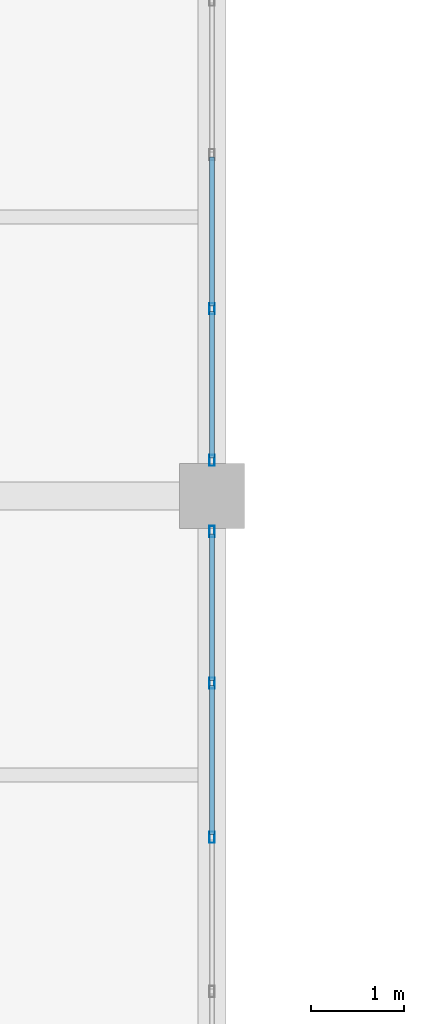
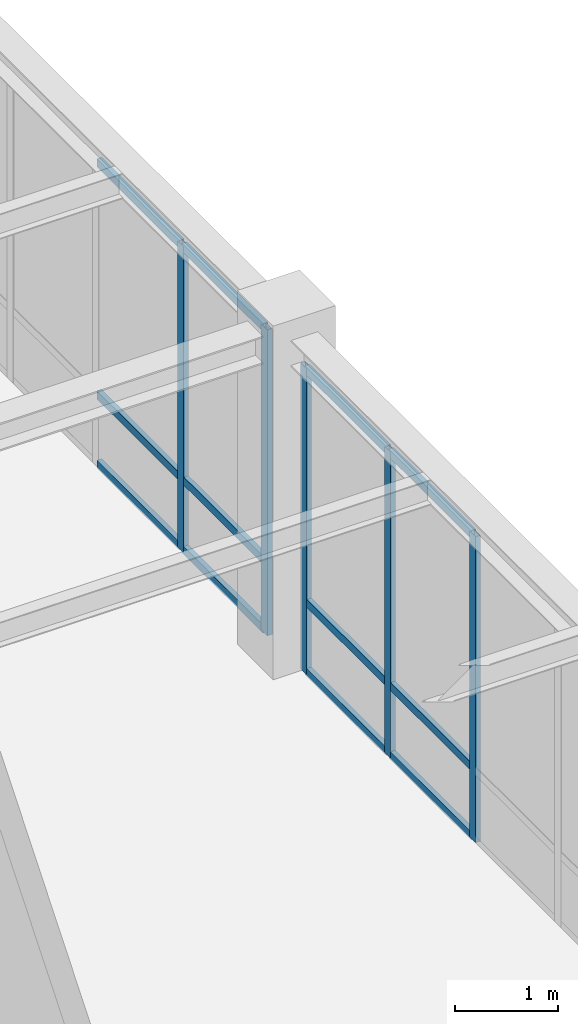
# One storey, part 58 of 108: 17 members, 2 elements without a shape of their own.
"""IFC4 building model written with IfcOpenShell, lengths in metres."""

from ifc_helpers import new_model, si_unit, direction, frame, origin, origin_2d, place, context, subcontext, project, spatial, hollow_rectangle, extrude, material, material_profile, profile_set, type_object, element, aggregate, save


model = new_model("IFC4")

# Units and contexts
model_context = context("Model", 3, precision=1e-05, world=origin(), true_north=direction((0.0, 1.0)))
body_context = subcontext(model_context, "Body", "Model", "MODEL_VIEW")
ifc_project = project(units=[si_unit("LENGTHUNIT", "METRE"), si_unit("AREAUNIT", "SQUARE_METRE"), si_unit("VOLUMEUNIT", "CUBIC_METRE"), si_unit("PLANEANGLEUNIT", "RADIAN"), si_unit("MASSUNIT", "GRAM", prefix="KILO")], contexts=[model_context])

# Site, building, storey
site_placement = place(None, origin())
site = spatial("IfcSite", under=ifc_project, at=site_placement, CompositionType="ELEMENT")
building_placement = place(site_placement, origin())
building = spatial("IfcBuilding", under=site, at=building_placement, Name="Lykobir Media Centre", CompositionType="ELEMENT")
storey_placement = place(building_placement, frame((0.0, 0.0, 15.0)))
storey = spatial("IfcBuildingStorey", under=building, at=storey_placement, Name="L03", CompositionType="ELEMENT", Elevation=15.0)

# Curtain wall, members
ifc_material = material(Name="Anodized Aluminium AW-6060", Category="aluminium")
curtain_wall_type = type_object("IfcCurtainWallType", Name="CW-COURT-B", PredefinedType="NOTDEFINED", material=ifc_material)
curtain_wall_1_placement = place(storey_placement, origin())
curtain_wall_1 = element("IfcCurtainWall", 1, at=curtain_wall_1_placement, inside=storey, type_object=curtain_wall_type, Name="Curtain wall CW2-L03-0141", PredefinedType="NOTDEFINED")
ifc_material_profile_1 = material_profile(ifc_material, hollow_rectangle(XDim=0.054931640625, YDim=0.1201171875, WallThickness=0.003173828125, at=origin_2d()), Name="ALU MULLION 55x120")
ifc_profile_set_1 = profile_set([ifc_material_profile_1], Name="Anodized Aluminium AW-6060")
member_type_1 = type_object("IfcMemberType", Name="CWM-120", PredefinedType="MULLION", material=ifc_profile_set_1)
member_1_placement = place(storey_placement, frame((99.0, 35.617431640625, 0.0), z_axis=(0.0, 0.0, 1.0), x_axis=(1.0, 0.0, 0.0)))
member_1 = element("IfcMember", 2, at=member_1_placement, type_object=member_type_1, Name="CW2-L03-0141 mullion 1", PredefinedType="MULLION", context=body_context, shape_type="SweptSolid", body=[
    extrude(hollow_rectangle(XDim=0.054931640625, YDim=0.1201171875, WallThickness=0.003173828125, at=origin_2d()), origin(), (0.0, 0.0, 1.0), 3.635009765625),
])
member_2_placement = place(storey_placement, frame((99.0, 33.987060546875, 0.0), z_axis=(0.0, 0.0, 1.0), x_axis=(1.0, 0.0, 0.0)))
member_2 = element("IfcMember", 3, at=member_2_placement, type_object=member_type_1, Name="CW2-L03-0141 mullion 2", PredefinedType="MULLION", context=body_context, shape_type="SweptSolid", body=[
    extrude(hollow_rectangle(XDim=0.054931640625, YDim=0.1201171875, WallThickness=0.003173828125, at=origin_2d()), origin(), (0.0, 0.0, 1.0), 3.635009765625),
])
member_3_placement = place(storey_placement, frame((99.0, 32.3291015625, 0.0), z_axis=(0.0, 0.0, 1.0), x_axis=(1.0, 0.0, 0.0)))
member_3 = element("IfcMember", 4, at=member_3_placement, type_object=member_type_1, Name="CW2-L03-0141 mullion 3", PredefinedType="MULLION", context=body_context, shape_type="SweptSolid", body=[
    extrude(hollow_rectangle(XDim=0.054931640625, YDim=0.1201171875, WallThickness=0.003173828125, at=origin_2d()), origin(), (0.0, 0.0, 1.0), 3.635009765625),
])

curtain_wall_2_placement = place(storey_placement, origin())
curtain_wall_2 = element("IfcCurtainWall", 5, at=curtain_wall_2_placement, inside=storey, type_object=curtain_wall_type, Name="Curtain wall CW2-L03-0142", PredefinedType="NOTDEFINED")
member_4_placement = place(storey_placement, frame((99.0, 38.012939453125, 0.0), z_axis=(0.0, 0.0, 1.0), x_axis=(1.0, 0.0, 0.0)))
member_4 = element("IfcMember", 6, at=member_4_placement, type_object=member_type_1, Name="CW2-L03-0142 mullion 5", PredefinedType="MULLION", context=body_context, shape_type="SweptSolid", body=[
    extrude(hollow_rectangle(XDim=0.054931640625, YDim=0.1201171875, WallThickness=0.003173828125, at=origin_2d()), origin(), (0.0, 0.0, 1.0), 3.635009765625),
])
member_5_placement = place(storey_placement, frame((99.0, 36.382568359375, 0.0), z_axis=(0.0, 0.0, 1.0), x_axis=(1.0, 0.0, 0.0)))
member_5 = element("IfcMember", 7, at=member_5_placement, type_object=member_type_1, Name="CW2-L03-0142 mullion 6", PredefinedType="MULLION", context=body_context, shape_type="SweptSolid", body=[
    extrude(hollow_rectangle(XDim=0.054931640625, YDim=0.1201171875, WallThickness=0.003173828125, at=origin_2d()), origin(), (0.0, 0.0, 1.0), 3.635009765625),
])

# Member
ifc_material_profile_2 = material_profile(ifc_material, hollow_rectangle(XDim=0.054931640625, YDim=0.094970703125, WallThickness=0.0029296875, at=origin_2d()), Name="ALU TRANSOM 55x95")
ifc_profile_set_2 = profile_set([ifc_material_profile_2], Name="Anodized Aluminium AW-6060")
member_type_2 = type_object("IfcMemberType", Name="CWT-095", PredefinedType="USERDEFINED", material=ifc_profile_set_2)
member_6_placement = place(storey_placement, frame((99.0, 35.590087890625, 0.027587890625), z_axis=(0.0, -1.0, 0.0), x_axis=(1.0, 0.0, 0.0)))
member_6 = element("IfcMember", 8, at=member_6_placement, type_object=member_type_2, Name="CW2-L03-0141 transom 1.1", ObjectType="TRANSOM", PredefinedType="USERDEFINED", context=body_context, shape_type="SweptSolid", body=[
    extrude(hollow_rectangle(XDim=0.054931640625, YDim=0.094970703125, WallThickness=0.0029296875, at=origin_2d()), origin(), (0.0, 0.0, 1.0), 1.57568359375),
])

member_7_placement = place(storey_placement, frame((99.0, 35.590087890625, 0.85009765625), z_axis=(0.0, -1.0, 0.0), x_axis=(1.0, 0.0, 0.0)))
member_7 = element("IfcMember", 9, at=member_7_placement, type_object=member_type_2, Name="CW2-L03-0141 transom 1.2", ObjectType="TRANSOM", PredefinedType="USERDEFINED", context=body_context, shape_type="SweptSolid", body=[
    extrude(hollow_rectangle(XDim=0.054931640625, YDim=0.094970703125, WallThickness=0.0029296875, at=origin_2d()), origin(), (0.0, 0.0, 1.0), 1.57568359375),
])

member_8_placement = place(storey_placement, frame((99.0, 35.590087890625, 3.607421875), z_axis=(0.0, -1.0, 0.0), x_axis=(1.0, 0.0, 0.0)))
member_8 = element("IfcMember", 10, at=member_8_placement, type_object=member_type_2, Name="CW2-L03-0141 transom 1.3", ObjectType="TRANSOM", PredefinedType="USERDEFINED", context=body_context, shape_type="SweptSolid", body=[
    extrude(hollow_rectangle(XDim=0.054931640625, YDim=0.094970703125, WallThickness=0.0029296875, at=origin_2d()), origin(), (0.0, 0.0, 1.0), 1.57568359375),
])

member_9_placement = place(storey_placement, frame((99.0, 33.95947265625, 0.027587890625), z_axis=(0.0, -1.0, 0.0), x_axis=(1.0, 0.0, 0.0)))
member_9 = element("IfcMember", 11, at=member_9_placement, type_object=member_type_2, Name="CW2-L03-0141 transom 2.1", ObjectType="TRANSOM", PredefinedType="USERDEFINED", context=body_context, shape_type="SweptSolid", body=[
    extrude(hollow_rectangle(XDim=0.054931640625, YDim=0.094970703125, WallThickness=0.0029296875, at=origin_2d()), origin(), (0.0, 0.0, 1.0), 1.60302734375),
])

member_10_placement = place(storey_placement, frame((99.0, 33.95947265625, 0.85009765625), z_axis=(0.0, -1.0, 0.0), x_axis=(1.0, 0.0, 0.0)))
member_10 = element("IfcMember", 12, at=member_10_placement, type_object=member_type_2, Name="CW2-L03-0141 transom 2.2", ObjectType="TRANSOM", PredefinedType="USERDEFINED", context=body_context, shape_type="SweptSolid", body=[
    extrude(hollow_rectangle(XDim=0.054931640625, YDim=0.094970703125, WallThickness=0.0029296875, at=origin_2d()), origin(), (0.0, 0.0, 1.0), 1.60302734375),
])

member_11_placement = place(storey_placement, frame((99.0, 33.95947265625, 3.607421875), z_axis=(0.0, -1.0, 0.0), x_axis=(1.0, 0.0, 0.0)))
member_11 = element("IfcMember", 13, at=member_11_placement, type_object=member_type_2, Name="CW2-L03-0141 transom 2.3", ObjectType="TRANSOM", PredefinedType="USERDEFINED", context=body_context, shape_type="SweptSolid", body=[
    extrude(hollow_rectangle(XDim=0.054931640625, YDim=0.094970703125, WallThickness=0.0029296875, at=origin_2d()), origin(), (0.0, 0.0, 1.0), 1.60302734375),
])

aggregate(curtain_wall_1, [member_1, member_2, member_3, member_6, member_7, member_8, member_9, member_10, member_11])

member_12_placement = place(storey_placement, frame((99.0, 39.6435546875, 0.027587890625), z_axis=(0.0, -1.0, 0.0), x_axis=(1.0, 0.0, 0.0)))
member_12 = element("IfcMember", 14, at=member_12_placement, type_object=member_type_2, Name="CW2-L03-0142 transom 4.1", ObjectType="TRANSOM", PredefinedType="USERDEFINED", context=body_context, shape_type="SweptSolid", body=[
    extrude(hollow_rectangle(XDim=0.054931640625, YDim=0.094970703125, WallThickness=0.0029296875, at=origin_2d()), origin(), (0.0, 0.0, 1.0), 1.60302734375),
])

member_13_placement = place(storey_placement, frame((99.0, 39.6435546875, 0.85009765625), z_axis=(0.0, -1.0, 0.0), x_axis=(1.0, 0.0, 0.0)))
member_13 = element("IfcMember", 15, at=member_13_placement, type_object=member_type_2, Name="CW2-L03-0142 transom 4.2", ObjectType="TRANSOM", PredefinedType="USERDEFINED", context=body_context, shape_type="SweptSolid", body=[
    extrude(hollow_rectangle(XDim=0.054931640625, YDim=0.094970703125, WallThickness=0.0029296875, at=origin_2d()), origin(), (0.0, 0.0, 1.0), 1.60302734375),
])

member_14_placement = place(storey_placement, frame((99.0, 39.6435546875, 3.607421875), z_axis=(0.0, -1.0, 0.0), x_axis=(1.0, 0.0, 0.0)))
member_14 = element("IfcMember", 16, at=member_14_placement, type_object=member_type_2, Name="CW2-L03-0142 transom 4.3", ObjectType="TRANSOM", PredefinedType="USERDEFINED", context=body_context, shape_type="SweptSolid", body=[
    extrude(hollow_rectangle(XDim=0.054931640625, YDim=0.094970703125, WallThickness=0.0029296875, at=origin_2d()), origin(), (0.0, 0.0, 1.0), 1.60302734375),
])

member_15_placement = place(storey_placement, frame((99.0, 37.985595703125, 0.027587890625), z_axis=(0.0, -1.0, 0.0), x_axis=(1.0, 0.0, 0.0)))
member_15 = element("IfcMember", 17, at=member_15_placement, type_object=member_type_2, Name="CW2-L03-0142 transom 5.1", ObjectType="TRANSOM", PredefinedType="USERDEFINED", context=body_context, shape_type="SweptSolid", body=[
    extrude(hollow_rectangle(XDim=0.054931640625, YDim=0.094970703125, WallThickness=0.0029296875, at=origin_2d()), origin(), (0.0, 0.0, 1.0), 1.57568359375),
])

member_16_placement = place(storey_placement, frame((99.0, 37.985595703125, 0.85009765625), z_axis=(0.0, -1.0, 0.0), x_axis=(1.0, 0.0, 0.0)))
member_16 = element("IfcMember", 18, at=member_16_placement, type_object=member_type_2, Name="CW2-L03-0142 transom 5.2", ObjectType="TRANSOM", PredefinedType="USERDEFINED", context=body_context, shape_type="SweptSolid", body=[
    extrude(hollow_rectangle(XDim=0.054931640625, YDim=0.094970703125, WallThickness=0.0029296875, at=origin_2d()), origin(), (0.0, 0.0, 1.0), 1.57568359375),
])

member_17_placement = place(storey_placement, frame((99.0, 37.985595703125, 3.607421875), z_axis=(0.0, -1.0, 0.0), x_axis=(1.0, 0.0, 0.0)))
member_17 = element("IfcMember", 19, at=member_17_placement, type_object=member_type_2, Name="CW2-L03-0142 transom 5.3", ObjectType="TRANSOM", PredefinedType="USERDEFINED", context=body_context, shape_type="SweptSolid", body=[
    extrude(hollow_rectangle(XDim=0.054931640625, YDim=0.094970703125, WallThickness=0.0029296875, at=origin_2d()), origin(), (0.0, 0.0, 1.0), 1.57568359375),
])

aggregate(curtain_wall_2, [member_4, member_5, member_12, member_13, member_14, member_15, member_16, member_17])

save(model, "model.ifc")
